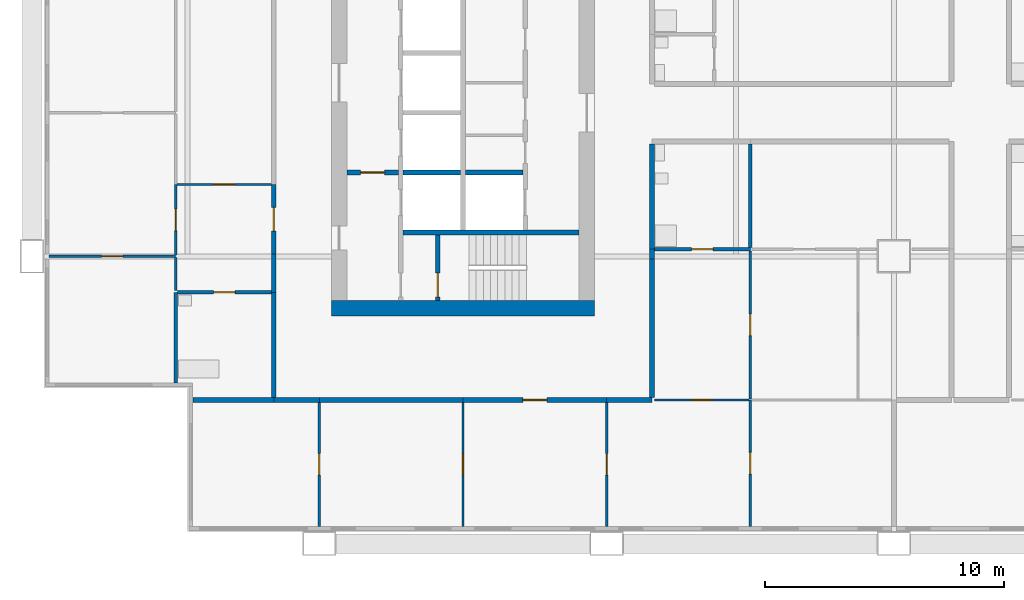
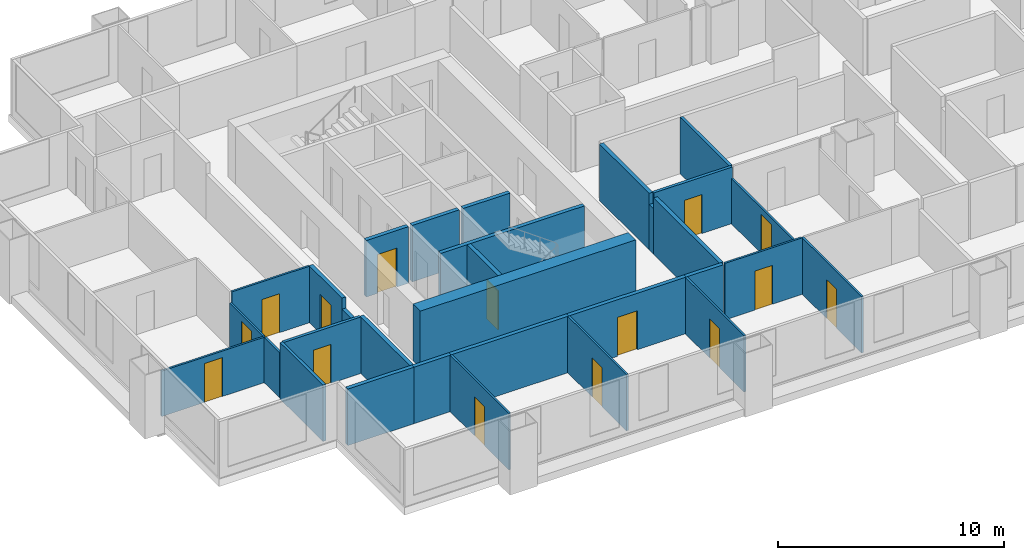
# One storey, part 2 of 12: 31 walls, 15 doors, 15 openings.
"""IFC4 building model written with IfcOpenShell, lengths in metres."""

from ifc_helpers import new_model, si_unit, direction, frame, frame_2d, origin, place, context, subcontext, project, spatial, rectangle, extrude, material, layer, layer_set, type_object, element, fill, save


model = new_model("IFC4")

# Units and contexts
model_context = context("Model", 3, precision=1e-05, world=origin(), true_north=direction((0.0, 1.0)))
body_context = subcontext(model_context, "Body", "Model", "MODEL_VIEW")
ifc_project = project(units=[si_unit("LENGTHUNIT", "METRE"), si_unit("AREAUNIT", "SQUARE_METRE"), si_unit("VOLUMEUNIT", "CUBIC_METRE"), si_unit("PLANEANGLEUNIT", "RADIAN"), si_unit("MASSUNIT", "GRAM", prefix="KILO")], contexts=[model_context])

# Site, building, storey
site_placement = place(None, origin())
site = spatial("IfcSite", under=ifc_project, at=site_placement, CompositionType="ELEMENT")
building_placement = place(site_placement, origin())
building = spatial("IfcBuilding", under=site, at=building_placement, Name="Kitamizu Gate Tower and Museum", CompositionType="ELEMENT")
storey_placement = place(building_placement, frame((0.0, 0.0, 134.550048828125)))
storey = spatial("IfcBuildingStorey", under=building, at=storey_placement, Name="L35", CompositionType="ELEMENT", Elevation=134.550048828125)

# Wall
ifc_material_1 = material(Name="Concrete Fc60", Category="concrete")
ifc_layer_1 = layer(ifc_material_1, 0.64990234375)
ifc_layer_set_1 = layer_set([ifc_layer_1], Name="Concrete Fc60")
wall_type_1 = type_object("IfcWallType", Name="Core wall 650", PredefinedType="SHEAR", material=ifc_layer_set_1)
wall_1_placement = place(storey_placement, frame((12.5, 21.824951171875, 0.0), z_axis=(0.0, 0.0, 1.0), x_axis=(1.0, 0.0, 0.0)))
element("IfcWall", 1, at=wall_1_placement, inside=storey, type_object=wall_type_1, Name="Core wall WS", PredefinedType="SHEAR", context=body_context, shape_type="SweptSolid", body=[
    extrude(rectangle(XDim=11.0, YDim=0.64990234375, at=frame_2d((5.5, 0.0))), origin(), (0.0, 0.0, 1.0), 3.050048828125),
])

# Wall, opening, door
ifc_material_2 = material(Name="Gypsum board on galvanised stud")
ifc_layer_2 = layer(ifc_material_2, 0.10009765625)
ifc_layer_set_2 = layer_set([ifc_layer_2], Name="Gypsum board on galvanised stud")
wall_type_2 = type_object("IfcWallType", Name="Partition 100 NOT RATED", PredefinedType="PARTITIONING", material=ifc_layer_set_2)
wall_2_placement = place(storey_placement, frame((12.0, 12.719970703125, 0.0), z_axis=(0.0, 0.0, 1.0), x_axis=(0.0, 1.0, 0.0)))
wall_2 = element("IfcWall", 2, at=wall_2_placement, inside=storey, type_object=wall_type_2, Name="Partition L35-001", PredefinedType="PARTITIONING", context=body_context, shape_type="SweptSolid", body=[
    extrude(rectangle(XDim=5.179931640625, YDim=0.10009765625, at=frame_2d((2.58984375, 0.0))), origin(), (0.0, 0.0, 1.0), 3.050048828125),
])
opening_1_placement = place(wall_2_placement, frame((2.139892578125, 0.0, 0.0)))
opening_1 = element("IfcOpeningElement", 3, at=opening_1_placement, cuts=wall_2, Name="Opening L35-007", PredefinedType="OPENING", context=body_context, shape_type="SweptSolid", body=[
    extrude(rectangle(XDim=0.89990234375, YDim=2.10009765625, at=frame_2d((0.449951171875, 1.050048828125))), frame((0.0, 0.06005859375, 0.0), z_axis=(0.0, -1.0, 0.0), x_axis=(1.0, 0.0, 0.0)), (0.0, 0.0, 1.0), 0.1201171875),
])
ifc_material_3 = material(Name="Timber door set", Category="wood")
door_type_1 = type_object("IfcDoorType", Name="Room door 900", OperationType="NOTDEFINED", PredefinedType="DOOR", material=ifc_material_3)
door_1_placement = place(opening_1_placement, origin())
door_1 = element("IfcDoor", 4, at=door_1_placement, inside=storey, type_object=door_type_1, Name="Door L35-007", OperationType="SINGLE_SWING_RIGHT", OverallHeight=2.10009765625, OverallWidth=0.89990234375, PredefinedType="DOOR", context=body_context, shape_type="SweptSolid", body=[
    extrude(rectangle(XDim=0.89990234375, YDim=2.10009765625, at=frame_2d((0.449951171875, 1.050048828125))), frame((0.0, 0.02490234375, 0.0), z_axis=(0.0, -1.0, 0.0), x_axis=(1.0, 0.0, 0.0)), (0.0, 0.0, 1.0), 0.050048828125),
])
fill(opening_1, door_1)

wall_3_placement = place(storey_placement, frame((18.0, 12.719970703125, 0.0), z_axis=(0.0, 0.0, 1.0), x_axis=(0.0, 1.0, 0.0)))
wall_3 = element("IfcWall", 5, at=wall_3_placement, inside=storey, type_object=wall_type_2, Name="Partition L35-004", PredefinedType="PARTITIONING", context=body_context, shape_type="SweptSolid", body=[
    extrude(rectangle(XDim=5.179931640625, YDim=0.10009765625, at=frame_2d((2.58984375, 0.0))), origin(), (0.0, 0.0, 1.0), 3.050048828125),
])
opening_2_placement = place(wall_3_placement, frame((2.139892578125, 0.0, 0.0)))
opening_2 = element("IfcOpeningElement", 6, at=opening_2_placement, cuts=wall_3, Name="Opening L35-003", PredefinedType="OPENING", context=body_context, shape_type="SweptSolid", body=[
    extrude(rectangle(XDim=0.89990234375, YDim=2.10009765625, at=frame_2d((0.449951171875, 1.050048828125))), frame((0.0, 0.06005859375, 0.0), z_axis=(0.0, -1.0, 0.0), x_axis=(1.0, 0.0, 0.0)), (0.0, 0.0, 1.0), 0.1201171875),
])
door_2_placement = place(opening_2_placement, origin())
door_2 = element("IfcDoor", 7, at=door_2_placement, inside=storey, type_object=door_type_1, Name="Door L35-003", OperationType="SINGLE_SWING_RIGHT", OverallHeight=2.10009765625, OverallWidth=0.89990234375, PredefinedType="DOOR", context=body_context, shape_type="SweptSolid", body=[
    extrude(rectangle(XDim=0.89990234375, YDim=2.10009765625, at=frame_2d((0.449951171875, 1.050048828125))), frame((0.0, 0.02490234375, 0.0), z_axis=(0.0, -1.0, 0.0), x_axis=(1.0, 0.0, 0.0)), (0.0, 0.0, 1.0), 0.050048828125),
])
fill(opening_2, door_2)

wall_4_placement = place(storey_placement, frame((24.0, 12.719970703125, 0.0), z_axis=(0.0, 0.0, 1.0), x_axis=(0.0, 1.0, 0.0)))
wall_4 = element("IfcWall", 8, at=wall_4_placement, inside=storey, type_object=wall_type_2, Name="Partition L35-006", PredefinedType="PARTITIONING", context=body_context, shape_type="SweptSolid", body=[
    extrude(rectangle(XDim=5.179931640625, YDim=0.10009765625, at=frame_2d((2.58984375, 0.0))), origin(), (0.0, 0.0, 1.0), 3.050048828125),
])
opening_3_placement = place(wall_4_placement, frame((2.139892578125, 0.0, 0.0)))
opening_3 = element("IfcOpeningElement", 9, at=opening_3_placement, cuts=wall_4, Name="Opening L35-002", PredefinedType="OPENING", context=body_context, shape_type="SweptSolid", body=[
    extrude(rectangle(XDim=0.89990234375, YDim=2.10009765625, at=frame_2d((0.449951171875, 1.050048828125))), frame((0.0, 0.06005859375, 0.0), z_axis=(0.0, -1.0, 0.0), x_axis=(1.0, 0.0, 0.0)), (0.0, 0.0, 1.0), 0.1201171875),
])
door_3_placement = place(opening_3_placement, frame((0.89990234375, 0.0, 0.0), x_axis=(-1.0, 0.0, 0.0)))
door_3 = element("IfcDoor", 10, at=door_3_placement, inside=storey, type_object=door_type_1, Name="Door L35-002", OperationType="SINGLE_SWING_RIGHT", OverallHeight=2.10009765625, OverallWidth=0.89990234375, PredefinedType="DOOR", context=body_context, shape_type="SweptSolid", body=[
    extrude(rectangle(XDim=0.89990234375, YDim=2.10009765625, at=frame_2d((0.449951171875, 1.050048828125))), frame((0.0, 0.02490234375, 0.0), z_axis=(0.0, -1.0, 0.0), x_axis=(1.0, 0.0, 0.0)), (0.0, 0.0, 1.0), 0.050048828125),
])
fill(opening_3, door_3)

wall_5_placement = place(storey_placement, frame((30.0, 12.719970703125, 0.0), z_axis=(0.0, 0.0, 1.0), x_axis=(0.0, 1.0, 0.0)))
wall_5 = element("IfcWall", 11, at=wall_5_placement, inside=storey, type_object=wall_type_2, Name="Partition L35-008", PredefinedType="PARTITIONING", context=body_context, shape_type="SweptSolid", body=[
    extrude(rectangle(XDim=5.280029296875, YDim=0.10009765625, at=frame_2d((2.64013671875, 0.0))), origin(), (0.0, 0.0, 1.0), 3.050048828125),
])
opening_4_placement = place(wall_5_placement, frame((2.18994140625, 0.0, 0.0)))
opening_4 = element("IfcOpeningElement", 12, at=opening_4_placement, cuts=wall_5, Name="Opening L35-004", PredefinedType="OPENING", context=body_context, shape_type="SweptSolid", body=[
    extrude(rectangle(XDim=0.89990234375, YDim=2.10009765625, at=frame_2d((0.449951171875, 1.050048828125))), frame((0.0, 0.06005859375, 0.0), z_axis=(0.0, -1.0, 0.0), x_axis=(1.0, 0.0, 0.0)), (0.0, 0.0, 1.0), 0.1201171875),
])
door_4_placement = place(opening_4_placement, origin())
door_4 = element("IfcDoor", 13, at=door_4_placement, inside=storey, type_object=door_type_1, Name="Door L35-004", OperationType="SINGLE_SWING_LEFT", OverallHeight=2.10009765625, OverallWidth=0.89990234375, PredefinedType="DOOR", context=body_context, shape_type="SweptSolid", body=[
    extrude(rectangle(XDim=0.89990234375, YDim=2.10009765625, at=frame_2d((0.449951171875, 1.050048828125))), frame((0.0, 0.02490234375, 0.0), z_axis=(0.0, -1.0, 0.0), x_axis=(1.0, 0.0, 0.0)), (0.0, 0.0, 1.0), 0.050048828125),
])
fill(opening_4, door_4)

wall_6_placement = place(storey_placement, frame((29.949951171875, 18.0, 0.0), z_axis=(0.0, 0.0, 1.0), x_axis=(-1.0, 0.0, 0.0)))
wall_6 = element("IfcWall", 14, at=wall_6_placement, inside=storey, type_object=wall_type_2, Name="Partition L35-009", PredefinedType="PARTITIONING", context=body_context, shape_type="SweptSolid", body=[
    extrude(rectangle(XDim=3.949951171875, YDim=0.10009765625, at=frame_2d((1.97509765625, 0.0))), origin(), (0.0, 0.0, 1.0), 3.050048828125),
])
opening_5_placement = place(wall_6_placement, frame((1.52490234375, 0.0, 0.0)))
opening_5 = element("IfcOpeningElement", 15, at=opening_5_placement, cuts=wall_6, Name="Opening L35-005", PredefinedType="OPENING", context=body_context, shape_type="SweptSolid", body=[
    extrude(rectangle(XDim=0.89990234375, YDim=2.10009765625, at=frame_2d((0.449951171875, 1.050048828125))), frame((0.0, 0.06005859375, 0.0), z_axis=(0.0, -1.0, 0.0), x_axis=(1.0, 0.0, 0.0)), (0.0, 0.0, 1.0), 0.1201171875),
])
door_5_placement = place(opening_5_placement, frame((0.89990234375, 0.0, 0.0), x_axis=(-1.0, 0.0, 0.0)))
door_5 = element("IfcDoor", 16, at=door_5_placement, inside=storey, type_object=door_type_1, Name="Door L35-005", OperationType="SINGLE_SWING_LEFT", OverallHeight=2.10009765625, OverallWidth=0.89990234375, PredefinedType="DOOR", context=body_context, shape_type="SweptSolid", body=[
    extrude(rectangle(XDim=0.89990234375, YDim=2.10009765625, at=frame_2d((0.449951171875, 1.050048828125))), frame((0.0, 0.02490234375, 0.0), z_axis=(0.0, -1.0, 0.0), x_axis=(1.0, 0.0, 0.0)), (0.0, 0.0, 1.0), 0.050048828125),
])
fill(opening_5, door_5)

wall_7_placement = place(storey_placement, frame((30.0, 18.050048828125, 0.0), z_axis=(0.0, 0.0, 1.0), x_axis=(0.0, 1.0, 0.0)))
wall_7 = element("IfcWall", 17, at=wall_7_placement, inside=storey, type_object=wall_type_2, Name="Partition L35-014", PredefinedType="PARTITIONING", context=body_context, shape_type="SweptSolid", body=[
    extrude(rectangle(XDim=6.175048828125, YDim=0.10009765625, at=frame_2d((3.08740234375, 0.0))), origin(), (0.0, 0.0, 1.0), 2.449951171875),
])
opening_6_placement = place(wall_7_placement, frame((2.637451171875, 0.0, 0.0)))
opening_6 = element("IfcOpeningElement", 18, at=opening_6_placement, cuts=wall_7, Name="Opening L35-008", PredefinedType="OPENING", context=body_context, shape_type="SweptSolid", body=[
    extrude(rectangle(XDim=0.89990234375, YDim=2.10009765625, at=frame_2d((0.449951171875, 1.050048828125))), frame((0.0, 0.06005859375, 0.0), z_axis=(0.0, -1.0, 0.0), x_axis=(1.0, 0.0, 0.0)), (0.0, 0.0, 1.0), 0.1201171875),
])
door_6_placement = place(opening_6_placement, origin())
door_6 = element("IfcDoor", 19, at=door_6_placement, inside=storey, type_object=door_type_1, Name="Door L35-008", OperationType="SINGLE_SWING_LEFT", OverallHeight=2.10009765625, OverallWidth=0.89990234375, PredefinedType="DOOR", context=body_context, shape_type="SweptSolid", body=[
    extrude(rectangle(XDim=0.89990234375, YDim=2.10009765625, at=frame_2d((0.449951171875, 1.050048828125))), frame((0.0, 0.02490234375, 0.0), z_axis=(0.0, -1.0, 0.0), x_axis=(1.0, 0.0, 0.0)), (0.0, 0.0, 1.0), 0.050048828125),
])
fill(opening_6, door_6)

wall_8_placement = place(storey_placement, frame((6.0, 24.0, 0.0), z_axis=(0.0, 0.0, 1.0), x_axis=(-1.0, 0.0, 0.0)))
wall_8 = element("IfcWall", 20, at=wall_8_placement, inside=storey, type_object=wall_type_2, Name="Partition L35-085", PredefinedType="PARTITIONING", context=body_context, shape_type="SweptSolid", body=[
    extrude(rectangle(XDim=5.280029296875, YDim=0.10009765625, at=frame_2d((2.64013671875, 0.0))), origin(), (0.0, 0.0, 1.0), 2.449951171875),
])
opening_7_placement = place(wall_8_placement, frame((2.18994140625, 0.0, 0.0)))
opening_7 = element("IfcOpeningElement", 21, at=opening_7_placement, cuts=wall_8, Name="Opening L35-034", PredefinedType="OPENING", context=body_context, shape_type="SweptSolid", body=[
    extrude(rectangle(XDim=0.89990234375, YDim=2.10009765625, at=frame_2d((0.449951171875, 1.050048828125))), frame((0.0, 0.06005859375, 0.0), z_axis=(0.0, -1.0, 0.0), x_axis=(1.0, 0.0, 0.0)), (0.0, 0.0, 1.0), 0.1201171875),
])
door_7_placement = place(opening_7_placement, origin())
door_7 = element("IfcDoor", 22, at=door_7_placement, inside=storey, type_object=door_type_1, Name="Door L35-034", OperationType="SINGLE_SWING_RIGHT", OverallHeight=2.10009765625, OverallWidth=0.89990234375, PredefinedType="DOOR", context=body_context, shape_type="SweptSolid", body=[
    extrude(rectangle(XDim=0.89990234375, YDim=2.10009765625, at=frame_2d((0.449951171875, 1.050048828125))), frame((0.0, 0.02490234375, 0.0), z_axis=(0.0, -1.0, 0.0), x_axis=(1.0, 0.0, 0.0)), (0.0, 0.0, 1.0), 0.050048828125),
])
fill(opening_7, door_7)

# Wall
wall_9_placement = place(storey_placement, frame((6.0, 22.574951171875, 0.0), z_axis=(0.0, 0.0, 1.0), x_axis=(0.0, 1.0, 0.0)))
element("IfcWall", 23, at=wall_9_placement, inside=storey, type_object=wall_type_2, Name="Partition L35-087", PredefinedType="PARTITIONING", context=body_context, shape_type="SweptSolid", body=[
    extrude(rectangle(XDim=1.375, YDim=0.10009765625, at=frame_2d((0.6875, 0.0))), origin(), (0.0, 0.0, 1.0), 2.449951171875),
])

# Wall, opening, door
wall_10_placement = place(storey_placement, frame((6.0, 24.050048828125, 0.0), z_axis=(0.0, 0.0, 1.0), x_axis=(0.0, 1.0, 0.0)))
wall_10 = element("IfcWall", 24, at=wall_10_placement, inside=storey, type_object=wall_type_2, Name="Partition L35-089", PredefinedType="PARTITIONING", context=body_context, shape_type="SweptSolid", body=[
    extrude(rectangle(XDim=2.949951171875, YDim=0.10009765625, at=frame_2d((1.47509765625, 0.0))), origin(), (0.0, 0.0, 1.0), 2.449951171875),
])
opening_8_placement = place(wall_10_placement, frame((1.02490234375, 0.0, 0.0)))
opening_8 = element("IfcOpeningElement", 25, at=opening_8_placement, cuts=wall_10, Name="Opening L35-030", PredefinedType="OPENING", context=body_context, shape_type="SweptSolid", body=[
    extrude(rectangle(XDim=0.89990234375, YDim=2.10009765625, at=frame_2d((0.449951171875, 1.050048828125))), frame((0.0, 0.06005859375, 0.0), z_axis=(0.0, -1.0, 0.0), x_axis=(1.0, 0.0, 0.0)), (0.0, 0.0, 1.0), 0.1201171875),
])
door_8_placement = place(opening_8_placement, origin())
door_8 = element("IfcDoor", 26, at=door_8_placement, inside=storey, type_object=door_type_1, Name="Door L35-030", OperationType="SINGLE_SWING_RIGHT", OverallHeight=2.10009765625, OverallWidth=0.89990234375, PredefinedType="DOOR", context=body_context, shape_type="SweptSolid", body=[
    extrude(rectangle(XDim=0.89990234375, YDim=2.10009765625, at=frame_2d((0.449951171875, 1.050048828125))), frame((0.0, 0.02490234375, 0.0), z_axis=(0.0, -1.0, 0.0), x_axis=(1.0, 0.0, 0.0)), (0.0, 0.0, 1.0), 0.050048828125),
])
fill(opening_8, door_8)

wall_11_placement = place(storey_placement, frame((10.0, 27.0, 0.0), z_axis=(0.0, 0.0, 1.0), x_axis=(-1.0, 0.0, 0.0)))
wall_11 = element("IfcWall", 27, at=wall_11_placement, inside=storey, type_object=wall_type_2, Name="Partition L35-097", PredefinedType="PARTITIONING", context=body_context, shape_type="SweptSolid", body=[
    extrude(rectangle(XDim=3.949951171875, YDim=0.10009765625, at=frame_2d((1.97509765625, 0.0))), origin(), (0.0, 0.0, 1.0), 3.050048828125),
])
opening_9_placement = place(wall_11_placement, frame((1.52490234375, 0.0, 0.0)))
opening_9 = element("IfcOpeningElement", 28, at=opening_9_placement, cuts=wall_11, Name="Opening L35-031", PredefinedType="OPENING", context=body_context, shape_type="SweptSolid", body=[
    extrude(rectangle(XDim=0.89990234375, YDim=2.10009765625, at=frame_2d((0.449951171875, 1.050048828125))), frame((0.0, 0.06005859375, 0.0), z_axis=(0.0, -1.0, 0.0), x_axis=(1.0, 0.0, 0.0)), (0.0, 0.0, 1.0), 0.1201171875),
])
door_9_placement = place(opening_9_placement, origin())
door_9 = element("IfcDoor", 29, at=door_9_placement, inside=storey, type_object=door_type_1, Name="Door L35-031", OperationType="SINGLE_SWING_RIGHT", OverallHeight=2.10009765625, OverallWidth=0.89990234375, PredefinedType="DOOR", context=body_context, shape_type="SweptSolid", body=[
    extrude(rectangle(XDim=0.89990234375, YDim=2.10009765625, at=frame_2d((0.449951171875, 1.050048828125))), frame((0.0, 0.02490234375, 0.0), z_axis=(0.0, -1.0, 0.0), x_axis=(1.0, 0.0, 0.0)), (0.0, 0.0, 1.0), 0.050048828125),
])
fill(opening_9, door_9)

ifc_material_4 = material(Name="Gypsum board on galvanised stud")
ifc_layer_3 = layer(ifc_material_4, 0.14990234375)
ifc_layer_set_3 = layer_set([ifc_layer_3], Name="Gypsum board on galvanised stud")
wall_type_3 = type_object("IfcWallType", Name="Partition 150", PredefinedType="PARTITIONING", material=ifc_layer_set_3)
wall_12_placement = place(storey_placement, frame((30.0, 24.300048828125, 0.0), z_axis=(0.0, 0.0, 1.0), x_axis=(-1.0, 0.0, 0.0)))
wall_12 = element("IfcWall", 30, at=wall_12_placement, inside=storey, type_object=wall_type_3, Name="Partition L35-015", PredefinedType="PARTITIONING", context=body_context, shape_type="SweptSolid", body=[
    extrude(rectangle(XDim=4.0, YDim=0.14990234375, at=frame_2d((2.0, 0.0))), origin(), (0.0, 0.0, 1.0), 3.050048828125),
])
opening_10_placement = place(wall_12_placement, frame((1.550048828125, 0.0, 0.0)))
opening_10 = element("IfcOpeningElement", 31, at=opening_10_placement, cuts=wall_12, Name="Opening L35-006", PredefinedType="OPENING", context=body_context, shape_type="SweptSolid", body=[
    extrude(rectangle(XDim=0.89990234375, YDim=2.10009765625, at=frame_2d((0.449951171875, 1.050048828125))), frame((0.0, 0.0849609375, 0.0), z_axis=(0.0, -1.0, 0.0), x_axis=(1.0, 0.0, 0.0)), (0.0, 0.0, 1.0), 0.169921875),
])
ifc_material_5 = material(Name="Timber door set", Category="wood")
door_type_2 = type_object("IfcDoorType", Name="Bathroom door 900", OperationType="NOTDEFINED", PredefinedType="DOOR", material=ifc_material_5)
door_10_placement = place(opening_10_placement, frame((0.89990234375, 0.0, 0.0), x_axis=(-1.0, 0.0, 0.0)))
door_10 = element("IfcDoor", 32, at=door_10_placement, inside=storey, type_object=door_type_2, Name="Bathroom door L35-006", OperationType="SINGLE_SWING_RIGHT", OverallHeight=2.10009765625, OverallWidth=0.89990234375, PredefinedType="DOOR", context=body_context, shape_type="SweptSolid", body=[
    extrude(rectangle(XDim=0.89990234375, YDim=2.10009765625, at=frame_2d((0.449951171875, 1.050048828125))), frame((0.0, 0.02490234375, 0.0), z_axis=(0.0, -1.0, 0.0), x_axis=(1.0, 0.0, 0.0)), (0.0, 0.0, 1.0), 0.050048828125),
])
fill(opening_10, door_10)

# Walls
wall_13_placement = place(storey_placement, frame((30.0, 24.375, 0.0), z_axis=(0.0, 0.0, 1.0), x_axis=(0.0, 1.0, 0.0)))
element("IfcWall", 33, at=wall_13_placement, inside=storey, type_object=wall_type_3, Name="Partition L35-024", PredefinedType="PARTITIONING", context=body_context, shape_type="SweptSolid", body=[
    extrude(rectangle(XDim=4.324951171875, YDim=0.14990234375, at=frame_2d((2.16259765625, 0.0))), origin(), (0.0, 0.0, 1.0), 3.050048828125),
])
wall_14_placement = place(storey_placement, frame((6.0, 18.719970703125, 0.0), z_axis=(0.0, 0.0, 1.0), x_axis=(0.0, 1.0, 0.0)))
element("IfcWall", 34, at=wall_14_placement, inside=storey, type_object=wall_type_3, Name="Partition L35-086", PredefinedType="PARTITIONING", context=body_context, shape_type="SweptSolid", body=[
    extrude(rectangle(XDim=3.780029296875, YDim=0.14990234375, at=frame_2d((1.89013671875, 0.0))), origin(), (0.0, 0.0, 1.0), 3.050048828125),
])

# Wall, opening, door
wall_15_placement = place(storey_placement, frame((10.0, 22.5, 0.0), z_axis=(0.0, 0.0, 1.0), x_axis=(-1.0, 0.0, 0.0)))
wall_15 = element("IfcWall", 35, at=wall_15_placement, inside=storey, type_object=wall_type_3, Name="Partition L35-095", PredefinedType="PARTITIONING", context=body_context, shape_type="SweptSolid", body=[
    extrude(rectangle(XDim=3.925048828125, YDim=0.14990234375, at=frame_2d((1.96240234375, 0.0))), origin(), (0.0, 0.0, 1.0), 3.050048828125),
])
opening_11_placement = place(wall_15_placement, frame((1.512451171875, 0.0, 0.0)))
opening_11 = element("IfcOpeningElement", 36, at=opening_11_placement, cuts=wall_15, Name="Opening L35-035", PredefinedType="OPENING", context=body_context, shape_type="SweptSolid", body=[
    extrude(rectangle(XDim=0.89990234375, YDim=2.10009765625, at=frame_2d((0.449951171875, 1.050048828125))), frame((0.0, 0.0849609375, 0.0), z_axis=(0.0, -1.0, 0.0), x_axis=(1.0, 0.0, 0.0)), (0.0, 0.0, 1.0), 0.169921875),
])
door_11_placement = place(opening_11_placement, origin())
door_11 = element("IfcDoor", 37, at=door_11_placement, inside=storey, type_object=door_type_2, Name="Bathroom door L35-035", OperationType="SINGLE_SWING_LEFT", OverallHeight=2.10009765625, OverallWidth=0.89990234375, PredefinedType="DOOR", context=body_context, shape_type="SweptSolid", body=[
    extrude(rectangle(XDim=0.89990234375, YDim=2.10009765625, at=frame_2d((0.449951171875, 1.050048828125))), frame((0.0, 0.02490234375, 0.0), z_axis=(0.0, -1.0, 0.0), x_axis=(1.0, 0.0, 0.0)), (0.0, 0.0, 1.0), 0.050048828125),
])
fill(opening_11, door_11)

# Walls
ifc_material_6 = material(Name="Gypsum board on galvanised stud")
ifc_layer_4 = layer(ifc_material_6, 0.199951171875)
ifc_layer_set_4 = layer_set([ifc_layer_4], Name="Gypsum board on galvanised stud")
wall_type_4 = type_object("IfcWallType", Name="Partition 200", PredefinedType="PARTITIONING", material=ifc_layer_set_4)
wall_16_placement = place(storey_placement, frame((10.10009765625, 18.0, 0.0), z_axis=(0.0, 0.0, 1.0), x_axis=(-1.0, 0.0, 0.0)))
element("IfcWall", 38, at=wall_16_placement, inside=storey, type_object=wall_type_4, Name="Partition L35-002", PredefinedType="PARTITIONING", context=body_context, shape_type="SweptSolid", body=[
    extrude(rectangle(XDim=3.380126953125, YDim=0.199951171875, at=frame_2d((1.68994140625, 0.0))), origin(), (0.0, 0.0, 1.0), 3.050048828125),
])
wall_17_placement = place(storey_placement, frame((12.0, 18.0, 0.0), z_axis=(0.0, 0.0, 1.0), x_axis=(-1.0, 0.0, 0.0)))
element("IfcWall", 39, at=wall_17_placement, inside=storey, type_object=wall_type_4, Name="Partition L35-003", PredefinedType="PARTITIONING", context=body_context, shape_type="SweptSolid", body=[
    extrude(rectangle(XDim=1.89990234375, YDim=0.199951171875, at=frame_2d((0.949951171875, 0.0))), origin(), (0.0, 0.0, 1.0), 3.050048828125),
])
wall_18_placement = place(storey_placement, frame((18.0, 18.0, 0.0), z_axis=(0.0, 0.0, 1.0), x_axis=(-1.0, 0.0, 0.0)))
element("IfcWall", 40, at=wall_18_placement, inside=storey, type_object=wall_type_4, Name="Partition L35-005", PredefinedType="PARTITIONING", context=body_context, shape_type="SweptSolid", body=[
    extrude(rectangle(XDim=6.0, YDim=0.199951171875, at=frame_2d((3.0, 0.0))), origin(), (0.0, 0.0, 1.0), 3.050048828125),
])

# Wall, opening, door
wall_19_placement = place(storey_placement, frame((24.0, 18.0, 0.0), z_axis=(0.0, 0.0, 1.0), x_axis=(-1.0, 0.0, 0.0)))
wall_19 = element("IfcWall", 41, at=wall_19_placement, inside=storey, type_object=wall_type_4, Name="Partition L35-007", PredefinedType="PARTITIONING", context=body_context, shape_type="SweptSolid", body=[
    extrude(rectangle(XDim=6.0, YDim=0.199951171875, at=frame_2d((3.0, 0.0))), origin(), (0.0, 0.0, 1.0), 3.050048828125),
])
opening_12_placement = place(wall_19_placement, frame((2.5, 0.0, 0.0)))
opening_12 = element("IfcOpeningElement", 42, at=opening_12_placement, cuts=wall_19, Name="Opening L35-001", PredefinedType="OPENING", context=body_context, shape_type="SweptSolid", body=[
    extrude(rectangle(XDim=1.0, YDim=2.10009765625, at=frame_2d((0.5, 1.050048828125))), frame((0.0, 0.10986328125, 0.0), z_axis=(0.0, -1.0, 0.0), x_axis=(1.0, 0.0, 0.0)), (0.0, 0.0, 1.0), 0.219970703125),
])
ifc_material_7 = material(Name="Timber door set", Category="wood")
door_type_3 = type_object("IfcDoorType", Name="Flat entrance door 1000", OperationType="NOTDEFINED", PredefinedType="DOOR", material=ifc_material_7)
door_12_placement = place(opening_12_placement, origin())
door_12 = element("IfcDoor", 43, at=door_12_placement, inside=storey, type_object=door_type_3, Name="Flat entrance door L35-001", OperationType="SINGLE_SWING_RIGHT", OverallHeight=2.10009765625, OverallWidth=1.0, PredefinedType="DOOR", context=body_context, shape_type="SweptSolid", body=[
    extrude(rectangle(XDim=1.0, YDim=2.10009765625, at=frame_2d((0.5, 1.050048828125))), frame((0.0, 0.02490234375, 0.0), z_axis=(0.0, -1.0, 0.0), x_axis=(1.0, 0.0, 0.0)), (0.0, 0.0, 1.0), 0.050048828125),
])
fill(opening_12, door_12)

# Walls
wall_20_placement = place(storey_placement, frame((25.89990234375, 18.0, 0.0), z_axis=(0.0, 0.0, 1.0), x_axis=(-1.0, 0.0, 0.0)))
element("IfcWall", 44, at=wall_20_placement, inside=storey, type_object=wall_type_4, Name="Partition L35-010", PredefinedType="PARTITIONING", context=body_context, shape_type="SweptSolid", body=[
    extrude(rectangle(XDim=1.89990234375, YDim=0.199951171875, at=frame_2d((0.949951171875, 0.0))), origin(), (0.0, 0.0, 1.0), 3.050048828125),
])
wall_21_placement = place(storey_placement, frame((25.89990234375, 24.300048828125, 0.0), z_axis=(0.0, 0.0, 1.0), x_axis=(0.0, -1.0, 0.0)))
element("IfcWall", 45, at=wall_21_placement, inside=storey, type_object=wall_type_4, Name="Partition L35-016", PredefinedType="PARTITIONING", context=body_context, shape_type="SweptSolid", body=[
    extrude(rectangle(XDim=0.400146484375, YDim=0.199951171875, at=frame_2d((0.2001953125, 0.0))), origin(), (0.0, 0.0, 1.0), 2.449951171875),
])
wall_22_placement = place(storey_placement, frame((25.89990234375, 23.89990234375, 0.0), z_axis=(0.0, 0.0, 1.0), x_axis=(0.0, -1.0, 0.0)))
element("IfcWall", 46, at=wall_22_placement, inside=storey, type_object=wall_type_4, Name="Partition L35-017", PredefinedType="PARTITIONING", context=body_context, shape_type="SweptSolid", body=[
    extrude(rectangle(XDim=5.7998046875, YDim=0.199951171875, at=frame_2d((2.89990234375, 0.0))), origin(), (0.0, 0.0, 1.0), 3.050048828125),
])
for number, where, z_axis, x_axis, name in (
    (47, (25.89990234375, 28.699951171875, 0.0), (0.0, 0.0, 1.0), (0.0, -1.0, 0.0), "Partition L35-026"),
    (48, (10.10009765625, 18.10009765625, 0.0), (0.0, 0.0, 1.0), (0.0, 1.0, 0.0), "Partition L35-096"),
):
    element("IfcWall", number, at=place(storey_placement, frame(where, z_axis=z_axis, x_axis=x_axis)), inside=storey, type_object=wall_type_4, Name=name, PredefinedType="PARTITIONING", context=body_context, shape_type="SweptSolid", body=[
        extrude(rectangle(XDim=4.39990234375, YDim=0.199951171875, at=frame_2d((2.199951171875, 0.0))), origin(), (0.0, 0.0, 1.0), 3.050048828125),
    ])
wall_23_placement = place(storey_placement, frame((10.10009765625, 22.5, 0.0), z_axis=(0.0, 0.0, 1.0), x_axis=(0.0, 1.0, 0.0)))
element("IfcWall", 49, at=wall_23_placement, inside=storey, type_object=wall_type_4, Name="Partition L35-098", PredefinedType="PARTITIONING", context=body_context, shape_type="SweptSolid", body=[
    extrude(rectangle(XDim=1.60009765625, YDim=0.199951171875, at=frame_2d((0.800048828125, 0.0))), origin(), (0.0, 0.0, 1.0), 2.449951171875),
])

# Wall, opening, door
wall_24_placement = place(storey_placement, frame((10.10009765625, 24.10009765625, 0.0), z_axis=(0.0, 0.0, 1.0), x_axis=(0.0, 1.0, 0.0)))
wall_24 = element("IfcWall", 50, at=wall_24_placement, inside=storey, type_object=wall_type_4, Name="Partition L35-099", PredefinedType="PARTITIONING", context=body_context, shape_type="SweptSolid", body=[
    extrude(rectangle(XDim=2.89990234375, YDim=0.199951171875, at=frame_2d((1.449951171875, 0.0))), origin(), (0.0, 0.0, 1.0), 3.050048828125),
])
opening_13_placement = place(wall_24_placement, frame((0.949951171875, 0.0, 0.0)))
opening_13 = element("IfcOpeningElement", 51, at=opening_13_placement, cuts=wall_24, Name="Opening L35-029", PredefinedType="OPENING", context=body_context, shape_type="SweptSolid", body=[
    extrude(rectangle(XDim=1.0, YDim=2.10009765625, at=frame_2d((0.5, 1.050048828125))), frame((0.0, 0.10986328125, 0.0), z_axis=(0.0, -1.0, 0.0), x_axis=(1.0, 0.0, 0.0)), (0.0, 0.0, 1.0), 0.219970703125),
])
door_13_placement = place(opening_13_placement, origin())
door_13 = element("IfcDoor", 52, at=door_13_placement, inside=storey, type_object=door_type_3, Name="Flat entrance door L35-029", OperationType="SINGLE_SWING_LEFT", OverallHeight=2.10009765625, OverallWidth=1.0, PredefinedType="DOOR", context=body_context, shape_type="SweptSolid", body=[
    extrude(rectangle(XDim=1.0, YDim=2.10009765625, at=frame_2d((0.5, 1.050048828125))), frame((0.0, 0.02490234375, 0.0), z_axis=(0.0, -1.0, 0.0), x_axis=(1.0, 0.0, 0.0)), (0.0, 0.0, 1.0), 0.050048828125),
])
fill(opening_13, door_13)

# Wall
ifc_material_8 = material(Name="Concrete Fc42", Category="concrete")
ifc_layer_5 = layer(ifc_material_8, 0.199951171875)
ifc_layer_set_5 = layer_set([ifc_layer_5], Name="Concrete Fc42")
wall_type_5 = type_object("IfcWallType", Name="Shaft wall 200", PredefinedType="SOLIDWALL", material=ifc_layer_set_5)
wall_25_placement = place(storey_placement, frame((15.5, 25.0, 0.0), z_axis=(0.0, 0.0, 1.0), x_axis=(1.0, 0.0, 0.0)))
element("IfcWall", 53, at=wall_25_placement, inside=storey, type_object=wall_type_5, Name="Shaft wall WSB", PredefinedType="SOLIDWALL", context=body_context, shape_type="SweptSolid", body=[
    extrude(rectangle(XDim=7.35009765625, YDim=0.199951171875, at=frame_2d((3.675048828125, 0.0))), origin(), (0.0, 0.0, 1.0), 3.050048828125),
])

# Wall, opening, door
wall_26_placement = place(storey_placement, frame((13.14990234375, 27.5, 0.0), z_axis=(0.0, 0.0, 1.0), x_axis=(1.0, 0.0, 0.0)))
wall_26 = element("IfcWall", 54, at=wall_26_placement, inside=storey, type_object=wall_type_5, Name="Shaft wall WFFN", PredefinedType="SOLIDWALL", context=body_context, shape_type="SweptSolid", body=[
    extrude(rectangle(XDim=2.150146484375, YDim=0.199951171875, at=frame_2d((1.0751953125, 0.0))), origin(), (0.0, 0.0, 1.0), 3.050048828125),
])
opening_14_placement = place(wall_26_placement, frame((0.574951171875, 0.0, 0.0)))
opening_14 = element("IfcOpeningElement", 55, at=opening_14_placement, cuts=wall_26, Name="Opening L35-056", PredefinedType="OPENING", context=body_context, shape_type="SweptSolid", body=[
    extrude(rectangle(XDim=1.0, YDim=2.10009765625, at=frame_2d((0.5, 1.050048828125))), frame((0.0, 0.10986328125, 0.0), z_axis=(0.0, -1.0, 0.0), x_axis=(1.0, 0.0, 0.0)), (0.0, 0.0, 1.0), 0.219970703125),
])
ifc_material_9 = material(Name="Hollow metal door set")
door_type_4 = type_object("IfcDoorType", Name="Fire door 1000", OperationType="NOTDEFINED", PredefinedType="DOOR", material=ifc_material_9)
door_14_placement = place(opening_14_placement, frame((1.0, 0.0, 0.0), x_axis=(-1.0, 0.0, 0.0)))
door_14 = element("IfcDoor", 56, at=door_14_placement, inside=storey, type_object=door_type_4, Name="Fire-fighting lobby door L35-056", OperationType="SINGLE_SWING_LEFT", OverallHeight=2.10009765625, OverallWidth=1.0, PredefinedType="DOOR", context=body_context, shape_type="SweptSolid", body=[
    extrude(rectangle(XDim=1.0, YDim=2.10009765625, at=frame_2d((0.5, 1.050048828125))), frame((0.0, 0.02490234375, 0.0), z_axis=(0.0, -1.0, 0.0), x_axis=(1.0, 0.0, 0.0)), (0.0, 0.0, 1.0), 0.050048828125),
])
fill(opening_14, door_14)

wall_27_placement = place(storey_placement, frame((16.949951171875, 22.14990234375, 0.0), z_axis=(0.0, 0.0, 1.0), x_axis=(0.0, 1.0, 0.0)))
wall_27 = element("IfcWall", 57, at=wall_27_placement, inside=storey, type_object=wall_type_5, Name="Shaft wall WSZ", PredefinedType="SOLIDWALL", context=body_context, shape_type="SweptSolid", body=[
    extrude(rectangle(XDim=2.75, YDim=0.199951171875, at=frame_2d((1.375, 0.0))), origin(), (0.0, 0.0, 1.0), 3.050048828125),
])
opening_15_placement = place(wall_27_placement, frame((0.14990234375, 0.0, 0.0)))
opening_15 = element("IfcOpeningElement", 58, at=opening_15_placement, cuts=wall_27, Name="Opening L35-052", PredefinedType="OPENING", context=body_context, shape_type="SweptSolid", body=[
    extrude(rectangle(XDim=1.0, YDim=2.10009765625, at=frame_2d((0.5, 1.050048828125))), frame((0.0, 0.10986328125, 0.0), z_axis=(0.0, -1.0, 0.0), x_axis=(1.0, 0.0, 0.0)), (0.0, 0.0, 1.0), 0.219970703125),
])
door_15_placement = place(opening_15_placement, frame((1.0, 0.0, 0.0), x_axis=(-1.0, 0.0, 0.0)))
door_15 = element("IfcDoor", 59, at=door_15_placement, inside=storey, type_object=door_type_4, Name="Stair door L35-052", OperationType="SINGLE_SWING_LEFT", OverallHeight=2.10009765625, OverallWidth=1.0, PredefinedType="DOOR", context=body_context, shape_type="SweptSolid", body=[
    extrude(rectangle(XDim=1.0, YDim=2.10009765625, at=frame_2d((0.5, 1.050048828125))), frame((0.0, 0.02490234375, 0.0), z_axis=(0.0, -1.0, 0.0), x_axis=(1.0, 0.0, 0.0)), (0.0, 0.0, 1.0), 0.050048828125),
])
fill(opening_15, door_15)

# Walls
for number, where, z_axis, x_axis, name in (
    (60, (15.5, 27.5, 0.0), (0.0, 0.0, 1.0), (1.0, 0.0, 0.0), "Shaft wall WDVW0"),
    (61, (18.10009765625, 27.5, 0.0), (0.0, 0.0, 1.0), (1.0, 0.0, 0.0), "Shaft wall WDVE0"),
):
    element("IfcWall", number, at=place(storey_placement, frame(where, z_axis=z_axis, x_axis=x_axis)), inside=storey, type_object=wall_type_5, Name=name, PredefinedType="SOLIDWALL", context=body_context, shape_type="SweptSolid", body=[
        extrude(rectangle(XDim=2.39990234375, YDim=0.199951171875, at=frame_2d((1.199951171875, 0.0))), origin(), (0.0, 0.0, 1.0), 3.050048828125),
    ])

save(model, "model.ifc")
